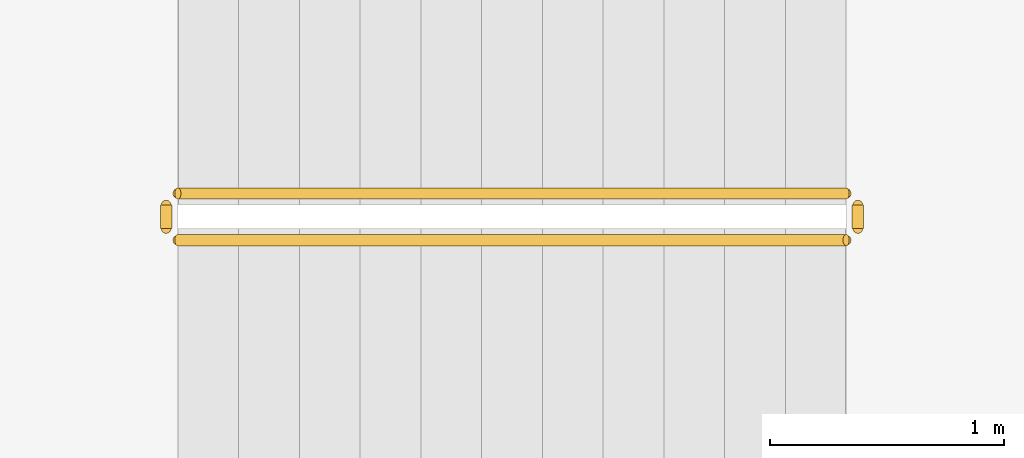
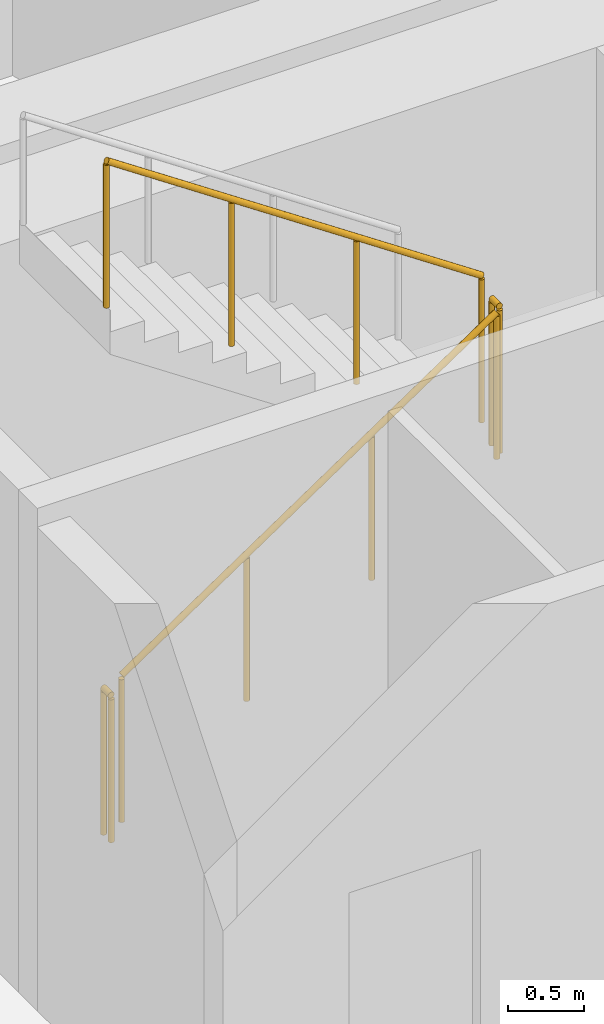
# One storey, part 22 of 26: 4 railings.
"""IFC4 building model written with IfcOpenShell, lengths in metres."""

from ifc_helpers import new_model, si_unit, direction, frame, origin, origin_2d, place, context, subcontext, project, spatial, circle, extrude, material, type_object, element, save


model = new_model("IFC4")

# Units and contexts
model_context = context("Model", 3, precision=1e-05, world=origin(), true_north=direction((0.0, 1.0)))
body_context = subcontext(model_context, "Body", "Model", "MODEL_VIEW")
ifc_project = project(units=[si_unit("LENGTHUNIT", "METRE"), si_unit("AREAUNIT", "SQUARE_METRE"), si_unit("VOLUMEUNIT", "CUBIC_METRE"), si_unit("PLANEANGLEUNIT", "RADIAN"), si_unit("MASSUNIT", "GRAM", prefix="KILO")], contexts=[model_context])

# Site, building, storey
site_placement = place(None, origin())
site = spatial("IfcSite", under=ifc_project, at=site_placement, CompositionType="ELEMENT")
building_placement = place(site_placement, origin())
building = spatial("IfcBuilding", under=site, at=building_placement, Name="Sahrelin Media Tower", CompositionType="ELEMENT")
storey_placement = place(building_placement, frame((0.0, 0.0, 84.0)))
storey = spatial("IfcBuildingStorey", under=building, at=storey_placement, Name="L15", CompositionType="ELEMENT", Elevation=84.0)

# Railings
ifc_material = material(Name="Steel S355", Category="steel")
railing_type = type_object("IfcRailingType", Name="Stair guard 1200", PredefinedType="GUARDRAIL", material=ifc_material)
railing_1_placement = place(storey_placement, frame((-7.675048828125, 5.25, 0.175048828125)))
element("IfcRailing", 1, at=railing_1_placement, inside=storey, type_object=railing_type, Name="L15 ST1 stair guard 1", PredefinedType="GUARDRAIL", context=body_context, shape_type="SweptSolid", body=[
    extrude(circle(Radius=0.02392578125, at=origin_2d()), frame((0.0, 0.0, 1.17578125), z_axis=(0.829590901723, 0.0, 0.558371682465), x_axis=(0.0, 1.0, 0.0)), (0.0, 0.0, 1.0), 3.447509765625),
    extrude(circle(Radius=0.02099609375, at=origin_2d()), origin(), (0.0, 0.0, 1.0), 1.15185546875),
    extrude(circle(Radius=0.02099609375, at=origin_2d()), frame((0.953369140625, 0.0, 0.6416015625)), (0.0, 0.0, 1.0), 1.15185546875),
    extrude(circle(Radius=0.02099609375, at=origin_2d()), frame((1.90673828125, 0.0, 1.283447265625)), (0.0, 0.0, 1.0), 1.15185546875),
    extrude(circle(Radius=0.02099609375, at=origin_2d()), frame((2.860107421875, 0.0, 1.925048828125)), (0.0, 0.0, 1.0), 1.15185546875),
])
railing_2_placement = place(storey_placement, frame((-4.764892578125, 5.300048828125, 2.10009765625)))
element("IfcRailing", 2, at=railing_2_placement, inside=storey, type_object=railing_type, Name="L15 ST1 stair guard 2", PredefinedType="GUARDRAIL", context=body_context, shape_type="SweptSolid", body=[
    extrude(circle(Radius=0.02392578125, at=origin_2d()), frame((0.0, 0.0, 1.17578125), z_axis=(0.0, 1.0, 0.0), x_axis=(-1.0, 0.0, 0.0)), (0.0, 0.0, 1.0), 0.099853515625),
    extrude(circle(Radius=0.02099609375, at=origin_2d()), origin(), (0.0, 0.0, 1.0), 1.15185546875),
    extrude(circle(Radius=0.02099609375, at=origin_2d()), frame((0.0, 0.099853515625, 0.0)), (0.0, 0.0, 1.0), 1.15185546875),
])
railing_3_placement = place(storey_placement, frame((-4.81494140625, 5.449951171875, 2.27490234375)))
element("IfcRailing", 3, at=railing_3_placement, inside=storey, type_object=railing_type, Name="L15 ST1 stair guard 3", PredefinedType="GUARDRAIL", context=body_context, shape_type="SweptSolid", body=[
    extrude(circle(Radius=0.02392578125, at=origin_2d()), frame((0.0, 0.0, 1.17578125), z_axis=(-0.829590901723, 0.0, 0.558371682465), x_axis=(0.0, -1.0, 0.0)), (0.0, 0.0, 1.0), 3.447509765625),
    extrude(circle(Radius=0.02099609375, at=origin_2d()), origin(), (0.0, 0.0, 1.0), 1.15185546875),
    extrude(circle(Radius=0.02099609375, at=origin_2d()), frame((-0.953369140625, 0.0, 0.6416015625)), (0.0, 0.0, 1.0), 1.15185546875),
    extrude(circle(Radius=0.02099609375, at=origin_2d()), frame((-1.90673828125, 0.0, 1.283447265625)), (0.0, 0.0, 1.0), 1.15185546875),
    extrude(circle(Radius=0.02099609375, at=origin_2d()), frame((-2.860107421875, 0.0, 1.925048828125)), (0.0, 0.0, 1.0), 1.15185546875),
])
railing_4_placement = place(storey_placement, frame((-7.72509765625, 5.300048828125, 0.0)))
element("IfcRailing", 4, at=railing_4_placement, inside=storey, type_object=railing_type, Name="L15 ST1 stair guard 4", PredefinedType="GUARDRAIL", context=body_context, shape_type="SweptSolid", body=[
    extrude(circle(Radius=0.02392578125, at=origin_2d()), frame((0.0, 0.0, 1.17578125), z_axis=(0.0, 1.0, 0.0), x_axis=(-1.0, 0.0, 0.0)), (0.0, 0.0, 1.0), 0.099853515625),
    extrude(circle(Radius=0.02099609375, at=origin_2d()), origin(), (0.0, 0.0, 1.0), 1.15185546875),
    extrude(circle(Radius=0.02099609375, at=origin_2d()), frame((0.0, 0.099853515625, 0.0)), (0.0, 0.0, 1.0), 1.15185546875),
])

save(model, "model.ifc")
